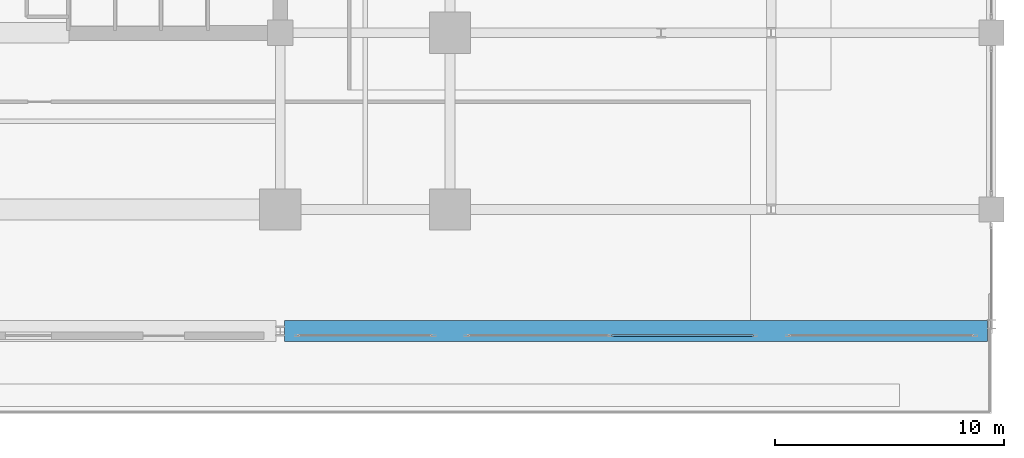
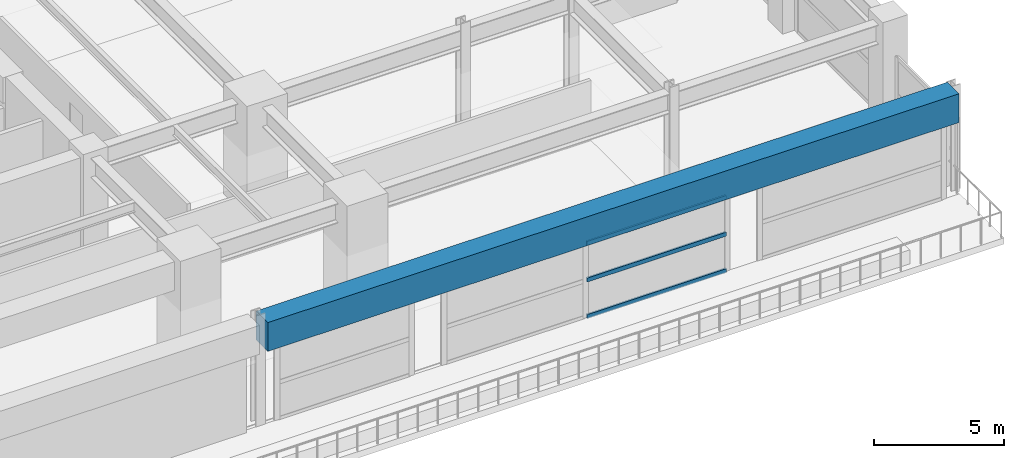
# One storey, part 24 of 43: 3 members, 1 beam, 1 element without a shape of its own.
"""IFC4 building model written with IfcOpenShell, lengths in metres."""

from ifc_helpers import new_model, si_unit, direction, frame, origin, origin_2d, place, context, subcontext, project, spatial, rectangle, hollow_rectangle, extrude, material, material_profile, profile_set, type_object, element, aggregate, save


model = new_model("IFC4")

# Units and contexts
model_context = context("Model", 3, precision=1e-05, world=origin(), true_north=direction((0.0, 1.0)))
body_context = subcontext(model_context, "Body", "Model", "MODEL_VIEW")
ifc_project = project(units=[si_unit("LENGTHUNIT", "METRE"), si_unit("AREAUNIT", "SQUARE_METRE"), si_unit("VOLUMEUNIT", "CUBIC_METRE"), si_unit("PLANEANGLEUNIT", "RADIAN"), si_unit("MASSUNIT", "GRAM", prefix="KILO")], contexts=[model_context])

# Site, building, storey
site_placement = place(None, origin())
site = spatial("IfcSite", under=ifc_project, at=site_placement, CompositionType="ELEMENT")
building_placement = place(site_placement, origin())
building = spatial("IfcBuilding", under=site, at=building_placement, Name="Kovane Verandah Tower", CompositionType="ELEMENT")
storey_placement = place(building_placement, frame((0.0, 0.0, 11.199951171875)))
storey = spatial("IfcBuildingStorey", under=building, at=storey_placement, Name="L02", CompositionType="ELEMENT", Elevation=11.199951171875)

# Beam
ifc_material_1 = material(Name="Concrete C80/95", Category="concrete")
ifc_material_profile_1 = material_profile(ifc_material_1, rectangle(XDim=0.89990234375, YDim=1.35009765625, at=origin_2d()), Name="RCB900x1350")
ifc_profile_set_1 = profile_set([ifc_material_profile_1], Name="Concrete C80/95")
beam_type = type_object("IfcBeamType", Name="BM-TR-900x1350", PredefinedType="BEAM", material=ifc_profile_set_1)
beam_placement = place(storey_placement, frame((51.179931640625, 5.5, 4.22509765625), z_axis=(1.0, 0.0, 0.0), x_axis=(0.0, 1.0, 0.0)))
element("IfcBeam", 1, at=beam_placement, inside=storey, type_object=beam_type, Name="L02 South Terrace Girder S2-3", PredefinedType="BEAM", context=body_context, shape_type="SweptSolid", body=[
    extrude(rectangle(XDim=0.89990234375, YDim=1.35009765625, at=origin_2d()), origin(), (0.0, 0.0, 1.0), 30.64013671875),
])

# Curtain wall, members
ifc_material_2 = material(Name="Champagne Anodised Aluminium Frame with Low-E Clear Laminated Glass", Category="aluminium")
curtain_wall_type = type_object("IfcCurtainWallType", Name="CW-SYS-01-POD", PredefinedType="NOTDEFINED", material=ifc_material_2)
curtain_wall_placement = place(storey_placement, origin())
curtain_wall = element("IfcCurtainWall", 2, at=curtain_wall_placement, inside=storey, type_object=curtain_wall_type, Name="L02 South Podium Curtain Wall Bay 6.1", PredefinedType="NOTDEFINED")
ifc_material_3 = material(Name="Champagne Anodised Aluminium 6063-T6", Category="aluminium")
ifc_material_profile_2 = material_profile(ifc_material_3, hollow_rectangle(XDim=0.0849609375, YDim=0.18994140625, WallThickness=0.00390625, at=origin_2d()), Name="AL85x190x4")
ifc_profile_set_2 = profile_set([ifc_material_profile_2], Name="Champagne Anodised Aluminium 6063-T6")
member_type = type_object("IfcMemberType", Name="CW-TRN-85x190", PredefinedType="USERDEFINED", material=ifc_profile_set_2)
member_1_placement = place(storey_placement, frame((65.449951171875, 5.300048828125, 0.050048828125), z_axis=(1.0, 0.0, 0.0), x_axis=(0.0, 1.0, 0.0)))
member_1 = element("IfcMember", 3, at=member_1_placement, type_object=member_type, Name="L02 South Podium Curtain Wall Bay 6.1 Transom TB Bay 2", ObjectType="TRANSOM", PredefinedType="USERDEFINED", context=body_context, shape_type="SweptSolid", body=[
    extrude(hollow_rectangle(XDim=0.0849609375, YDim=0.18994140625, WallThickness=0.00390625, at=origin_2d()), origin(), (0.0, 0.0, 1.0), 6.179931640625),
])
member_2_placement = place(storey_placement, frame((65.449951171875, 5.300048828125, 1.76513671875), z_axis=(1.0, 0.0, 0.0), x_axis=(0.0, 1.0, 0.0)))
member_2 = element("IfcMember", 4, at=member_2_placement, type_object=member_type, Name="L02 South Podium Curtain Wall Bay 6.1 Transom TM Bay 2", ObjectType="TRANSOM", PredefinedType="USERDEFINED", context=body_context, shape_type="SweptSolid", body=[
    extrude(hollow_rectangle(XDim=0.0849609375, YDim=0.18994140625, WallThickness=0.00390625, at=origin_2d()), origin(), (0.0, 0.0, 1.0), 6.179931640625),
])
member_3_placement = place(storey_placement, frame((65.449951171875, 5.300048828125, 3.47998046875), z_axis=(1.0, 0.0, 0.0), x_axis=(0.0, 1.0, 0.0)))
member_3 = element("IfcMember", 5, at=member_3_placement, type_object=member_type, Name="L02 South Podium Curtain Wall Bay 6.1 Transom TT Bay 2", ObjectType="TRANSOM", PredefinedType="USERDEFINED", context=body_context, shape_type="SweptSolid", body=[
    extrude(hollow_rectangle(XDim=0.0849609375, YDim=0.18994140625, WallThickness=0.00390625, at=origin_2d()), origin(), (0.0, 0.0, 1.0), 6.179931640625),
])
aggregate(curtain_wall, [member_1, member_2, member_3])

save(model, "model.ifc")
